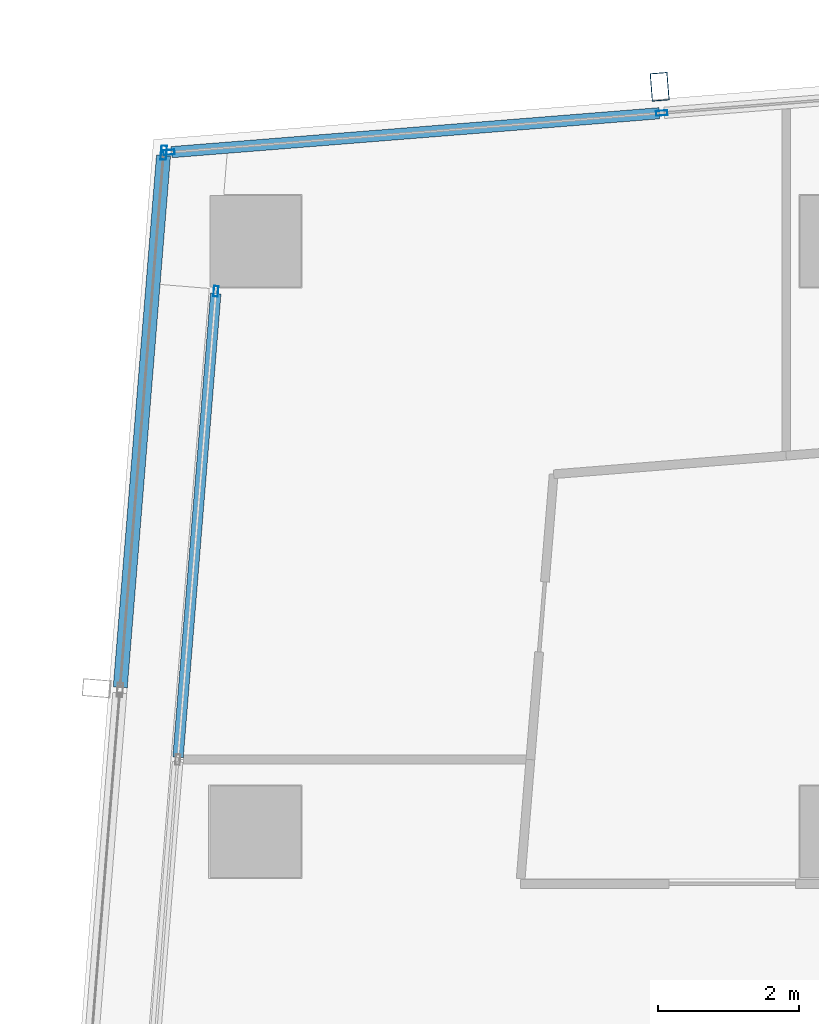
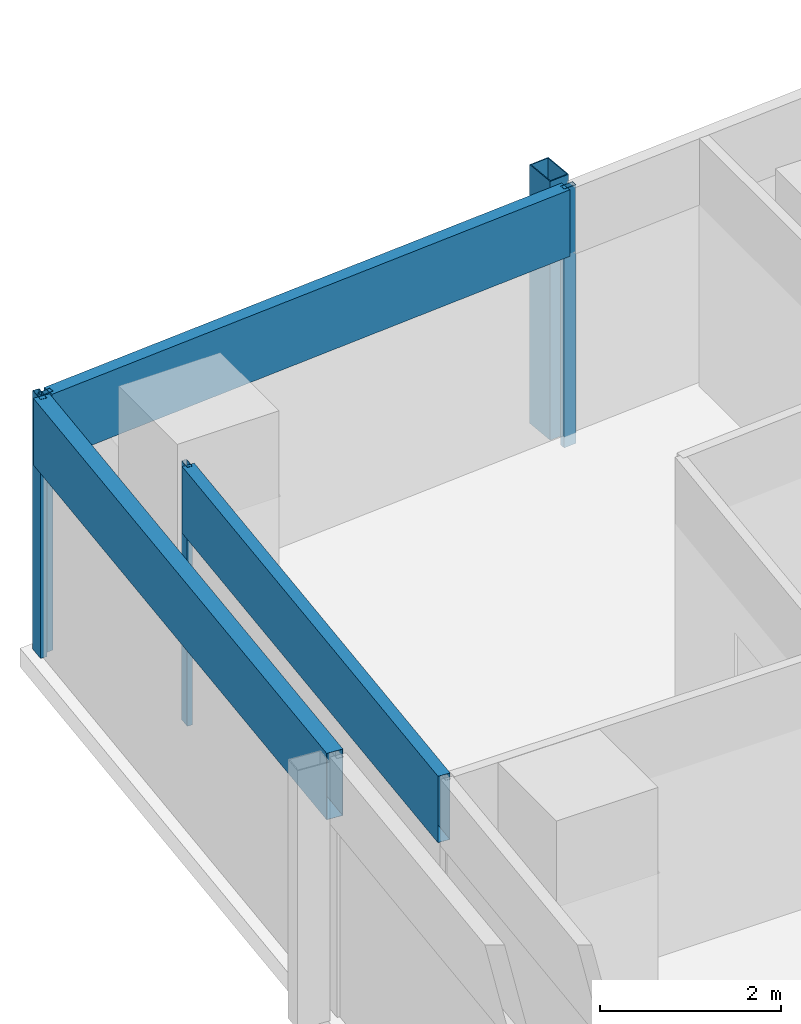
# One storey, part 13 of 28: 8 members, 3 elements without a shape of their own.
"""IFC4 building model written with IfcOpenShell, lengths in metres."""

from ifc_helpers import new_model, si_unit, direction, frame, origin, origin_2d, place, context, subcontext, project, spatial, hollow_rectangle, extrude, material, material_profile, profile_set, type_object, element, aggregate, save


model = new_model("IFC4")

# Units and contexts
model_context = context("Model", 3, precision=1e-05, world=origin(), true_north=direction((0.0, 1.0)))
body_context = subcontext(model_context, "Body", "Model", "MODEL_VIEW")
ifc_project = project(units=[si_unit("LENGTHUNIT", "METRE"), si_unit("AREAUNIT", "SQUARE_METRE"), si_unit("VOLUMEUNIT", "CUBIC_METRE"), si_unit("PLANEANGLEUNIT", "RADIAN"), si_unit("MASSUNIT", "GRAM", prefix="KILO")], contexts=[model_context])

# Site, building, storey
site_placement = place(None, origin())
site = spatial("IfcSite", under=ifc_project, at=site_placement, CompositionType="ELEMENT")
building_placement = place(site_placement, origin())
building = spatial("IfcBuilding", under=site, at=building_placement, Name="Rekha Terrace Tower", CompositionType="ELEMENT")
storey_placement = place(building_placement, frame((0.0, 0.0, 268.85009765625)))
storey = spatial("IfcBuildingStorey", under=building, at=storey_placement, Name="L68", CompositionType="ELEMENT", Elevation=268.85009765625)

# Curtain wall, member
ifc_material_1 = material(Name="Aluminium framing", Category="aluminium")
curtain_wall_type_1 = type_object("IfcCurtainWallType", Name="CW3 north unitised glazing", PredefinedType="USERDEFINED", material=ifc_material_1)
curtain_wall_1_placement = place(storey_placement, origin())
curtain_wall_1 = element("IfcCurtainWall", 1, at=curtain_wall_1_placement, inside=storey, type_object=curtain_wall_type_1, Name="CW3 unitised curtain wall", ObjectType="UNITISED CURTAIN WALL", PredefinedType="USERDEFINED")
ifc_material_2 = material(Name="Steel S355 with fluorocarbon finish", Category="steel")
ifc_material_profile_1 = material_profile(ifc_material_2, hollow_rectangle(XDim=0.25, YDim=0.39990234375, WallThickness=0.012451171875, at=origin_2d()), Name="RHS400x250x12.5")
ifc_profile_set_1 = profile_set([ifc_material_profile_1], Name="Steel S355 with fluorocarbon finish")
member_type_1 = type_object("IfcMemberType", Name="BL1 facade blade RHS 400 x 250", PredefinedType="USERDEFINED", material=ifc_profile_set_1)
member_1_placement = place(storey_placement, frame((14.1513671875, 52.599853515625, 0.0), z_axis=(0.0, 0.0, 1.0), x_axis=(-0.996836012392, -0.079485623849, 0.0)))
member_1 = element("IfcMember", 2, at=member_1_placement, type_object=member_type_1, Name="Facade blade", ObjectType="FACADE BLADE", PredefinedType="USERDEFINED", context=body_context, shape_type="SweptSolid", body=[
    extrude(hollow_rectangle(XDim=0.25, YDim=0.39990234375, WallThickness=0.012451171875, at=origin_2d()), origin(), (0.0, 0.0, 1.0), 3.5),
])

# Curtain wall, members
curtain_wall_type_2 = type_object("IfcCurtainWallType", Name="CW1 double skin inner glazing", PredefinedType="USERDEFINED", material=ifc_material_1)
curtain_wall_2_placement = place(storey_placement, origin())
curtain_wall_2 = element("IfcCurtainWall", 3, at=curtain_wall_2_placement, inside=storey, type_object=curtain_wall_type_2, Name="CW1 double skin inner glazing", ObjectType="DOUBLE SKIN INNER GLAZING", PredefinedType="USERDEFINED")
ifc_material_3 = material(Name="Aluminium mullion section", Category="aluminium")
ifc_material_profile_2 = material_profile(ifc_material_3, hollow_rectangle(XDim=0.06494140625, YDim=0.14990234375, WallThickness=0.00390625, at=origin_2d()), Name="AL RHS 65x150")
ifc_profile_set_2 = profile_set([ifc_material_profile_2], Name="Aluminium mullion section")
member_type_2 = type_object("IfcMemberType", Name="CW1 mullion RHS 65 x 150", PredefinedType="MULLION", material=ifc_profile_set_2)
member_2_placement = place(storey_placement, frame((7.837890625, 49.690185546875, 0.0), z_axis=(0.0, 0.0, 1.0), x_axis=(0.996708580524, -0.081067906781, 0.0)))
member_2 = element("IfcMember", 4, at=member_2_placement, type_object=member_type_2, Name="CW1 mullion 1", PredefinedType="MULLION", context=body_context, shape_type="SweptSolid", body=[
    extrude(hollow_rectangle(XDim=0.06494140625, YDim=0.14990234375, WallThickness=0.00390625, at=origin_2d()), origin(), (0.0, 0.0, 1.0), 3.5),
])
ifc_material_4 = material(Name="Insulated aluminium spandrel box", Category="aluminium")
ifc_material_profile_3 = material_profile(ifc_material_4, hollow_rectangle(XDim=0.14990234375, YDim=0.89990234375, WallThickness=0.0029296875, at=origin_2d()), Name="AL SPANDREL BOX 150x900")
ifc_profile_set_3 = profile_set([ifc_material_profile_3], Name="Insulated aluminium spandrel box")
member_type_3 = type_object("IfcMemberType", Name="CW1 spandrel transom 150 x 900", PredefinedType="USERDEFINED", material=ifc_profile_set_3)
member_3_placement = place(storey_placement, frame((7.835205078125, 49.65771484375, 3.0498046875), z_axis=(-0.081086159952, -0.996707095723, 0.0), x_axis=(0.996707095723, -0.081086159952, 0.0)))
member_3 = element("IfcMember", 5, at=member_3_placement, type_object=member_type_3, Name="CW1 spandrel transom 1", ObjectType="TRANSOM", PredefinedType="USERDEFINED", context=body_context, shape_type="SweptSolid", body=[
    extrude(hollow_rectangle(XDim=0.14990234375, YDim=0.89990234375, WallThickness=0.0029296875, at=origin_2d()), origin(), (0.0, 0.0, 1.0), 6.620849609375),
])
aggregate(curtain_wall_2, [member_2, member_3])

curtain_wall_type_3 = type_object("IfcCurtainWallType", Name="CW2 double skin outer glazing", PredefinedType="USERDEFINED", material=ifc_material_1)
curtain_wall_3_placement = place(storey_placement, origin())
curtain_wall_3 = element("IfcCurtainWall", 6, at=curtain_wall_3_placement, inside=storey, type_object=curtain_wall_type_3, Name="CW2 double skin outer glazing", ObjectType="DOUBLE SKIN OUTER GLAZING", PredefinedType="USERDEFINED")
ifc_material_profile_4 = material_profile(ifc_material_3, hollow_rectangle(XDim=0.080078125, YDim=0.199951171875, WallThickness=0.00390625, at=origin_2d()), Name="AL RHS 80x200")
ifc_profile_set_4 = profile_set([ifc_material_profile_4], Name="Aluminium mullion section")
member_type_4 = type_object("IfcMemberType", Name="CW2 mullion RHS 80 x 200", PredefinedType="MULLION", material=ifc_profile_set_4)
member_4_placement = place(storey_placement, frame((7.09521484375, 51.661376953125, 0.0), z_axis=(0.0, 0.0, 1.0), x_axis=(0.996708580523, -0.081067906798, 0.0)))
member_4 = element("IfcMember", 7, at=member_4_placement, type_object=member_type_4, Name="CW2 mullion 1", PredefinedType="MULLION", context=body_context, shape_type="SweptSolid", body=[
    extrude(hollow_rectangle(XDim=0.080078125, YDim=0.199951171875, WallThickness=0.00390625, at=origin_2d()), origin(), (0.0, 0.0, 1.0), 3.5),
])
ifc_material_profile_5 = material_profile(ifc_material_4, hollow_rectangle(XDim=0.199951171875, YDim=0.89990234375, WallThickness=0.0029296875, at=origin_2d()), Name="AL SPANDREL BOX 200x900")
ifc_profile_set_5 = profile_set([ifc_material_profile_5], Name="Insulated aluminium spandrel box")
member_type_5 = type_object("IfcMemberType", Name="CW2 spandrel transom 200 x 900", PredefinedType="USERDEFINED", material=ifc_profile_set_5)
member_5_placement = place(storey_placement, frame((7.092041015625, 51.62158203125, 3.0498046875), z_axis=(-0.081078383503, -0.996707728338, 0.0), x_axis=(0.996707728338, -0.081078383503, 0.0)))
member_5 = element("IfcMember", 8, at=member_5_placement, type_object=member_type_5, Name="CW2 spandrel transom 1", ObjectType="TRANSOM", PredefinedType="USERDEFINED", context=body_context, shape_type="SweptSolid", body=[
    extrude(hollow_rectangle(XDim=0.199951171875, YDim=0.89990234375, WallThickness=0.0029296875, at=origin_2d()), origin(), (0.0, 0.0, 1.0), 7.591064453125),
])
aggregate(curtain_wall_3, [member_4, member_5])

# Member
ifc_material_profile_6 = material_profile(ifc_material_3, hollow_rectangle(XDim=0.070068359375, YDim=0.159912109375, WallThickness=0.00390625, at=origin_2d()), Name="AL RHS 70x160")
ifc_profile_set_6 = profile_set([ifc_material_profile_6], Name="Aluminium mullion section")
member_type_6 = type_object("IfcMemberType", Name="CW3 mullion RHS 70 x 160", PredefinedType="MULLION", material=ifc_profile_set_6)
member_6_placement = place(storey_placement, frame((14.18115234375, 52.22607421875, 0.0), z_axis=(0.0, 0.0, 1.0), x_axis=(0.07948505154, -0.996836058026, 0.0)))
member_6 = element("IfcMember", 9, at=member_6_placement, type_object=member_type_6, Name="CW3 mullion 3", PredefinedType="MULLION", context=body_context, shape_type="SweptSolid", body=[
    extrude(hollow_rectangle(XDim=0.070068359375, YDim=0.159912109375, WallThickness=0.00390625, at=origin_2d()), origin(), (0.0, 0.0, 1.0), 3.5),
])

member_7_placement = place(storey_placement, frame((7.17041015625, 51.6669921875, 0.0), z_axis=(0.0, 0.0, 1.0), x_axis=(0.07948505154, -0.996836058026, 0.0)))
member_7 = element("IfcMember", 10, at=member_7_placement, type_object=member_type_6, Name="CW3 mullion 4", PredefinedType="MULLION", context=body_context, shape_type="SweptSolid", body=[
    extrude(hollow_rectangle(XDim=0.070068359375, YDim=0.159912109375, WallThickness=0.00390625, at=origin_2d()), origin(), (0.0, 0.0, 1.0), 3.5),
])

ifc_material_profile_7 = material_profile(ifc_material_4, hollow_rectangle(XDim=0.159912109375, YDim=0.89990234375, WallThickness=0.0029296875, at=origin_2d()), Name="AL SPANDREL BOX 160x900")
ifc_profile_set_7 = profile_set([ifc_material_profile_7], Name="Insulated aluminium spandrel box")
member_type_7 = type_object("IfcMemberType", Name="CW3 spandrel transom 160 x 900", PredefinedType="USERDEFINED", material=ifc_profile_set_7)
member_8_placement = place(storey_placement, frame((14.146240234375, 52.22314453125, 3.0498046875), z_axis=(-0.996835870382, -0.079487404789, 0.0), x_axis=(0.079487404789, -0.996835870382, 0.0)))
member_8 = element("IfcMember", 11, at=member_8_placement, type_object=member_type_7, Name="CW3 spandrel transom 3", ObjectType="TRANSOM", PredefinedType="USERDEFINED", context=body_context, shape_type="SweptSolid", body=[
    extrude(hollow_rectangle(XDim=0.159912109375, YDim=0.89990234375, WallThickness=0.0029296875, at=origin_2d()), origin(), (0.0, 0.0, 1.0), 6.962890625),
])

aggregate(curtain_wall_1, [member_6, member_7, member_8, member_1])

save(model, "model.ifc")
